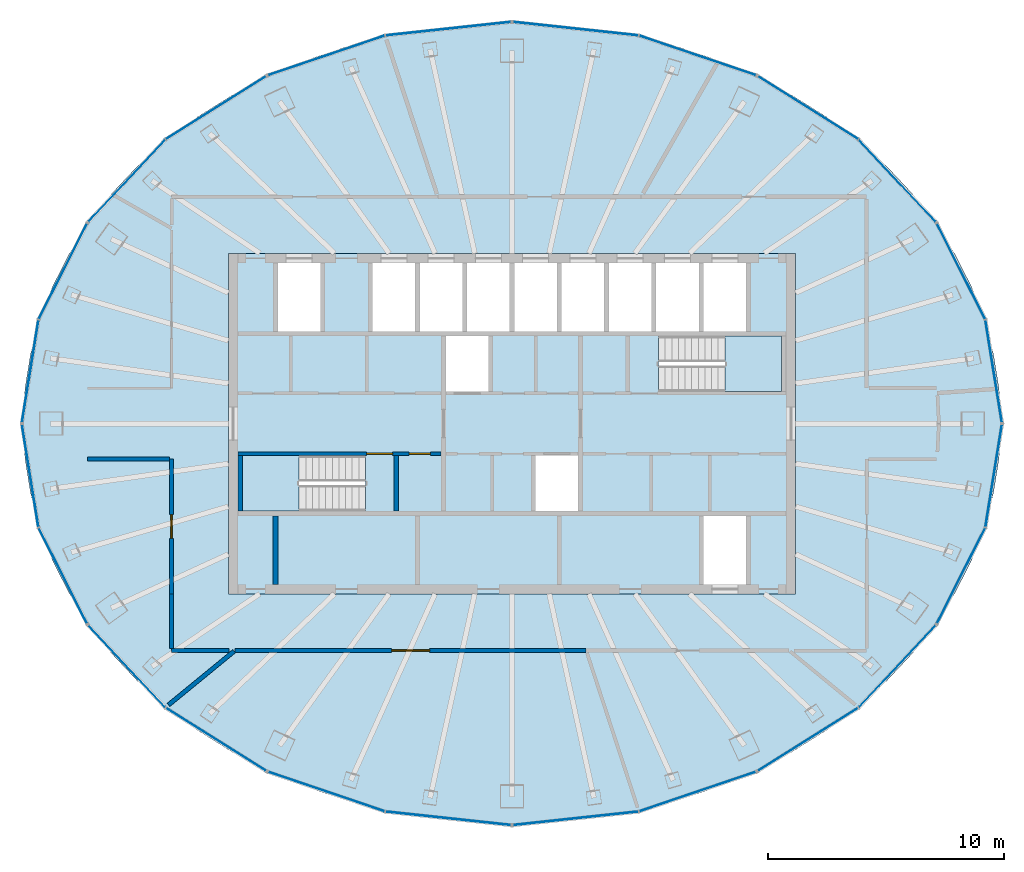
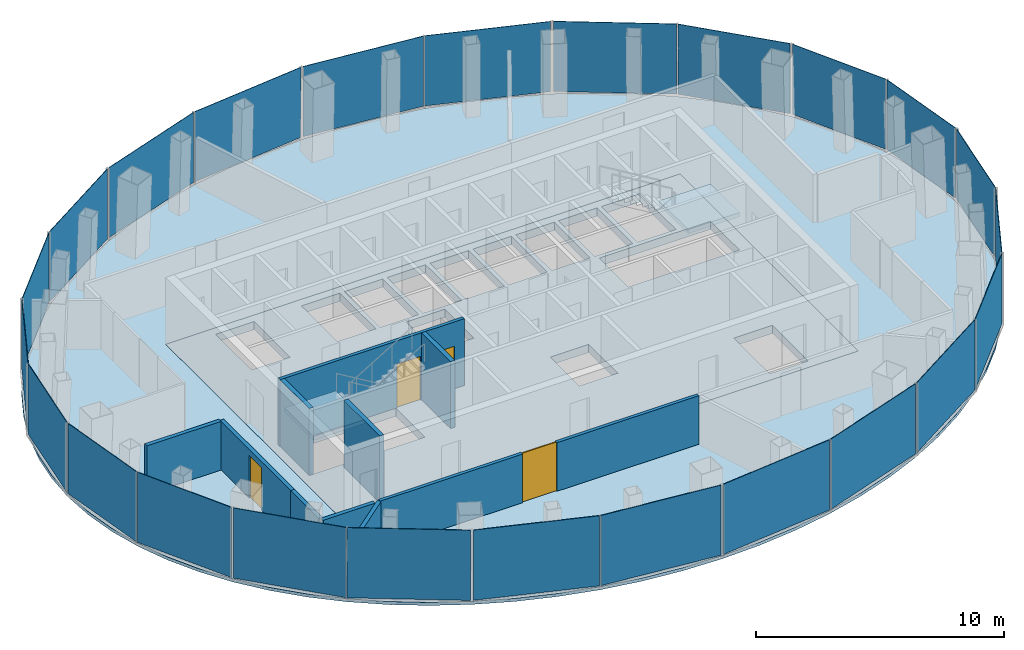
# One storey, part 7 of 11: 24 plates, 10 walls, 4 doors, 4 slabs, 4 openings, 14 elements without a shape of their own.
"""IFC4 building model written with IfcOpenShell, lengths in metres."""

from ifc_helpers import new_model, si_unit, direction, frame, frame_2d, origin, origin_2d, place, context, subcontext, project, spatial, polyline, rectangle, outline, extrude, material, layer, layer_set, type_object, element, fill, aggregate, save


model = new_model("IFC4")

# Units and contexts
model_context = context("Model", 3, precision=1e-05, world=origin(), true_north=direction((0.0, 1.0)))
body_context = subcontext(model_context, "Body", "Model", "MODEL_VIEW")
ifc_project = project(units=[si_unit("LENGTHUNIT", "METRE"), si_unit("AREAUNIT", "SQUARE_METRE"), si_unit("VOLUMEUNIT", "CUBIC_METRE"), si_unit("PLANEANGLEUNIT", "RADIAN"), si_unit("MASSUNIT", "GRAM", prefix="KILO")], contexts=[model_context])

# Site, building, storey
site_placement = place(None, origin())
site = spatial("IfcSite", under=ifc_project, at=site_placement, CompositionType="ELEMENT")
building_placement = place(site_placement, origin())
building = spatial("IfcBuilding", under=site, at=building_placement, Name="Siaravel Broadcast Tower", CompositionType="ELEMENT")
storey_placement = place(building_placement, frame((0.0, 0.0, 257.800048828125)))
storey = spatial("IfcBuildingStorey", under=building, at=storey_placement, Name="L63", CompositionType="ELEMENT", Elevation=257.800048828125)

# Curtain wall, plates
ifc_material_1 = material(Name="Aluminium 6063-T6", Category="aluminium")
ifc_layer_1 = layer(ifc_material_1, 0.159912109375)
ifc_layer_set_1 = layer_set([ifc_layer_1], Name="Aluminium 6063-T6")
curtain_wall_type = type_object("IfcCurtainWallType", Name="Unitised curtain wall, zone 4", PredefinedType="NOTDEFINED", material=ifc_layer_set_1)
curtain_wall_1_placement = place(storey_placement, origin())
curtain_wall_1 = element("IfcCurtainWall", 1, at=curtain_wall_1_placement, inside=storey, type_object=curtain_wall_type, Name="L63 Unitised curtain wall, zone 4 01", PredefinedType="NOTDEFINED")
ifc_material_2 = material(Name="Tinted insulated glass", Category="glass")
ifc_layer_2 = layer(ifc_material_2, 0.02587890625)
ifc_layer_set_2 = layer_set([ifc_layer_2], Name="Tinted insulated glass")
plate_type = type_object("IfcPlateType", Name="CW-Z4 glass panel", PredefinedType="CURTAIN_PANEL", material=ifc_layer_set_2)
plate_1_placement = place(storey_placement, frame((20.377685546875, 2.2138671875, 0.090087890625), z_axis=(0.0, 0.0, 1.0), x_axis=(-0.158684626, 0.987329322, 0.0)))
plate_1 = element("IfcPlate", 2, at=plate_1_placement, type_object=plate_type, Name="CW-Z4 glass panel", PredefinedType="CURTAIN_PANEL", context=body_context, shape_type="SweptSolid", body=[
    extrude(rectangle(XDim=4.37451171875, YDim=0.02587890625, at=origin_2d()), origin(), (0.0, 0.0, 1.0), 3.4599609375),
])
plate_2_placement = place(storey_placement, frame((18.99609375, 6.43798828125, 0.090087890625), z_axis=(0.0, 0.0, 1.0), x_axis=(-0.45125904, 0.892393007, 0.0)))
plate_2 = element("IfcPlate", 3, at=plate_2_placement, type_object=plate_type, Name="CW-Z4 glass panel", PredefinedType="CURTAIN_PANEL", context=body_context, shape_type="SweptSolid", body=[
    extrude(rectangle(XDim=4.51123046875, YDim=0.02587890625, at=origin_2d()), origin(), (0.0, 0.0, 1.0), 3.4599609375),
])
aggregate(curtain_wall_1, [plate_1, plate_2])

curtain_wall_2_placement = place(storey_placement, origin())
curtain_wall_2 = element("IfcCurtainWall", 4, at=curtain_wall_2_placement, inside=storey, type_object=curtain_wall_type, Name="L63 Unitised curtain wall, zone 4 02", PredefinedType="NOTDEFINED")
plate_3_placement = place(storey_placement, frame((16.2958984375, 10.269287109375, 0.090087890625), z_axis=(0.0, 0.0, 1.0), x_axis=(-0.683653541, 0.729806711, 0.0)))
plate_3 = element("IfcPlate", 5, at=plate_3_placement, type_object=plate_type, Name="CW-Z4 glass panel", PredefinedType="CURTAIN_PANEL", context=body_context, shape_type="SweptSolid", body=[
    extrude(rectangle(XDim=4.739013671875, YDim=0.02587890625, at=origin_2d()), origin(), (0.0, 0.0, 1.0), 3.4599609375),
])
plate_4_placement = place(storey_placement, frame((12.521728515625, 13.36083984375, 0.090087890625), z_axis=(0.0, 0.0, 1.0), x_axis=(-0.84664969, 0.532150638, 0.0)))
plate_4 = element("IfcPlate", 6, at=plate_4_placement, type_object=plate_type, Name="CW-Z4 glass panel", PredefinedType="CURTAIN_PANEL", context=body_context, shape_type="SweptSolid", body=[
    extrude(rectangle(XDim=4.9892578125, YDim=0.02587890625, at=origin_2d()), origin(), (0.0, 0.0, 1.0), 3.4599609375),
])
aggregate(curtain_wall_2, [plate_3, plate_4])

curtain_wall_3_placement = place(storey_placement, origin())
curtain_wall_3 = element("IfcCurtainWall", 7, at=curtain_wall_3_placement, inside=storey, type_object=curtain_wall_type, Name="L63 Unitised curtain wall, zone 4 03", PredefinedType="NOTDEFINED")
plate_5_placement = place(storey_placement, frame((7.8505859375, 15.570068359375, 0.090087890625), z_axis=(0.0, 0.0, 1.0), x_axis=(-0.946976923, 0.321301584, 0.0)))
plate_5 = element("IfcPlate", 8, at=plate_5_placement, type_object=plate_type, Name="CW-Z4 glass panel", PredefinedType="CURTAIN_PANEL", context=body_context, shape_type="SweptSolid", body=[
    extrude(rectangle(XDim=5.196533203125, YDim=0.02587890625, at=origin_2d()), origin(), (0.0, 0.0, 1.0), 3.4599609375),
])
plate_6_placement = place(storey_placement, frame((2.69580078125, 16.701416015625, 0.090087890625), z_axis=(0.0, 0.0, 1.0), x_axis=(-0.994235555, 0.107217823, 0.0)))
plate_6 = element("IfcPlate", 9, at=plate_6_placement, type_object=plate_type, Name="CW-Z4 glass panel", PredefinedType="CURTAIN_PANEL", context=body_context, shape_type="SweptSolid", body=[
    extrude(rectangle(XDim=5.3125, YDim=0.02587890625, at=origin_2d()), origin(), (0.0, 0.0, 1.0), 3.4599609375),
])
aggregate(curtain_wall_3, [plate_5, plate_6])

curtain_wall_4_placement = place(storey_placement, origin())
curtain_wall_4 = element("IfcCurtainWall", 10, at=curtain_wall_4_placement, inside=storey, type_object=curtain_wall_type, Name="L63 Unitised curtain wall, zone 4 04", PredefinedType="NOTDEFINED")
plate_7_placement = place(storey_placement, frame((-2.69580078125, 16.701416015625, 0.090087890625), z_axis=(0.0, 0.0, 1.0), x_axis=(-0.994235555, -0.107217823, 0.0)))
plate_7 = element("IfcPlate", 11, at=plate_7_placement, type_object=plate_type, Name="CW-Z4 glass panel", PredefinedType="CURTAIN_PANEL", context=body_context, shape_type="SweptSolid", body=[
    extrude(rectangle(XDim=5.3125, YDim=0.02587890625, at=origin_2d()), origin(), (0.0, 0.0, 1.0), 3.4599609375),
])
plate_8_placement = place(storey_placement, frame((-7.8505859375, 15.570068359375, 0.090087890625), z_axis=(0.0, 0.0, 1.0), x_axis=(-0.946976923, -0.321301584, 0.0)))
plate_8 = element("IfcPlate", 12, at=plate_8_placement, type_object=plate_type, Name="CW-Z4 glass panel", PredefinedType="CURTAIN_PANEL", context=body_context, shape_type="SweptSolid", body=[
    extrude(rectangle(XDim=5.196533203125, YDim=0.02587890625, at=origin_2d()), origin(), (0.0, 0.0, 1.0), 3.4599609375),
])
aggregate(curtain_wall_4, [plate_7, plate_8])

curtain_wall_5_placement = place(storey_placement, origin())
curtain_wall_5 = element("IfcCurtainWall", 13, at=curtain_wall_5_placement, inside=storey, type_object=curtain_wall_type, Name="L63 Unitised curtain wall, zone 4 05", PredefinedType="NOTDEFINED")
plate_9_placement = place(storey_placement, frame((-12.521728515625, 13.36083984375, 0.090087890625), z_axis=(0.0, 0.0, 1.0), x_axis=(-0.84664969, -0.532150638, 0.0)))
plate_9 = element("IfcPlate", 14, at=plate_9_placement, type_object=plate_type, Name="CW-Z4 glass panel", PredefinedType="CURTAIN_PANEL", context=body_context, shape_type="SweptSolid", body=[
    extrude(rectangle(XDim=4.9892578125, YDim=0.02587890625, at=origin_2d()), origin(), (0.0, 0.0, 1.0), 3.4599609375),
])
plate_10_placement = place(storey_placement, frame((-16.2958984375, 10.269287109375, 0.090087890625), z_axis=(0.0, 0.0, 1.0), x_axis=(-0.683653541, -0.729806711, 0.0)))
plate_10 = element("IfcPlate", 15, at=plate_10_placement, type_object=plate_type, Name="CW-Z4 glass panel", PredefinedType="CURTAIN_PANEL", context=body_context, shape_type="SweptSolid", body=[
    extrude(rectangle(XDim=4.739013671875, YDim=0.02587890625, at=origin_2d()), origin(), (0.0, 0.0, 1.0), 3.4599609375),
])
aggregate(curtain_wall_5, [plate_9, plate_10])

curtain_wall_6_placement = place(storey_placement, origin())
curtain_wall_6 = element("IfcCurtainWall", 16, at=curtain_wall_6_placement, inside=storey, type_object=curtain_wall_type, Name="L63 Unitised curtain wall, zone 4 06", PredefinedType="NOTDEFINED")
plate_11_placement = place(storey_placement, frame((-18.99609375, 6.43798828125, 0.090087890625), z_axis=(0.0, 0.0, 1.0), x_axis=(-0.45125904, -0.892393007, 0.0)))
plate_11 = element("IfcPlate", 17, at=plate_11_placement, type_object=plate_type, Name="CW-Z4 glass panel", PredefinedType="CURTAIN_PANEL", context=body_context, shape_type="SweptSolid", body=[
    extrude(rectangle(XDim=4.51123046875, YDim=0.02587890625, at=origin_2d()), origin(), (0.0, 0.0, 1.0), 3.4599609375),
])
plate_12_placement = place(storey_placement, frame((-20.377685546875, 2.2138671875, 0.090087890625), z_axis=(0.0, 0.0, 1.0), x_axis=(-0.158684626, -0.987329322, 0.0)))
plate_12 = element("IfcPlate", 18, at=plate_12_placement, type_object=plate_type, Name="CW-Z4 glass panel", PredefinedType="CURTAIN_PANEL", context=body_context, shape_type="SweptSolid", body=[
    extrude(rectangle(XDim=4.37451171875, YDim=0.02587890625, at=origin_2d()), origin(), (0.0, 0.0, 1.0), 3.4599609375),
])
aggregate(curtain_wall_6, [plate_11, plate_12])

curtain_wall_7_placement = place(storey_placement, origin())
curtain_wall_7 = element("IfcCurtainWall", 19, at=curtain_wall_7_placement, inside=storey, type_object=curtain_wall_type, Name="L63 Unitised curtain wall, zone 4 07", PredefinedType="NOTDEFINED")
plate_13_placement = place(storey_placement, frame((-20.377685546875, -2.2138671875, 0.090087890625), z_axis=(0.0, 0.0, 1.0), x_axis=(0.158684626, -0.987329322, 0.0)))
plate_13 = element("IfcPlate", 20, at=plate_13_placement, type_object=plate_type, Name="CW-Z4 glass panel", PredefinedType="CURTAIN_PANEL", context=body_context, shape_type="SweptSolid", body=[
    extrude(rectangle(XDim=4.37451171875, YDim=0.02587890625, at=origin_2d()), origin(), (0.0, 0.0, 1.0), 3.4599609375),
])
plate_14_placement = place(storey_placement, frame((-18.99609375, -6.43798828125, 0.090087890625), z_axis=(0.0, 0.0, 1.0), x_axis=(0.45125904, -0.892393007, 0.0)))
plate_14 = element("IfcPlate", 21, at=plate_14_placement, type_object=plate_type, Name="CW-Z4 glass panel", PredefinedType="CURTAIN_PANEL", context=body_context, shape_type="SweptSolid", body=[
    extrude(rectangle(XDim=4.51123046875, YDim=0.02587890625, at=origin_2d()), origin(), (0.0, 0.0, 1.0), 3.4599609375),
])
aggregate(curtain_wall_7, [plate_13, plate_14])

curtain_wall_8_placement = place(storey_placement, origin())
curtain_wall_8 = element("IfcCurtainWall", 22, at=curtain_wall_8_placement, inside=storey, type_object=curtain_wall_type, Name="L63 Unitised curtain wall, zone 4 08", PredefinedType="NOTDEFINED")
plate_15_placement = place(storey_placement, frame((-16.2958984375, -10.269287109375, 0.090087890625), z_axis=(0.0, 0.0, 1.0), x_axis=(0.683653541, -0.729806711, 0.0)))
plate_15 = element("IfcPlate", 23, at=plate_15_placement, type_object=plate_type, Name="CW-Z4 glass panel", PredefinedType="CURTAIN_PANEL", context=body_context, shape_type="SweptSolid", body=[
    extrude(rectangle(XDim=4.739013671875, YDim=0.02587890625, at=origin_2d()), origin(), (0.0, 0.0, 1.0), 3.4599609375),
])
plate_16_placement = place(storey_placement, frame((-12.521728515625, -13.36083984375, 0.090087890625), z_axis=(0.0, 0.0, 1.0), x_axis=(0.84664969, -0.532150638, 0.0)))
plate_16 = element("IfcPlate", 24, at=plate_16_placement, type_object=plate_type, Name="CW-Z4 glass panel", PredefinedType="CURTAIN_PANEL", context=body_context, shape_type="SweptSolid", body=[
    extrude(rectangle(XDim=4.9892578125, YDim=0.02587890625, at=origin_2d()), origin(), (0.0, 0.0, 1.0), 3.4599609375),
])
aggregate(curtain_wall_8, [plate_15, plate_16])

curtain_wall_9_placement = place(storey_placement, origin())
curtain_wall_9 = element("IfcCurtainWall", 25, at=curtain_wall_9_placement, inside=storey, type_object=curtain_wall_type, Name="L63 Unitised curtain wall, zone 4 09", PredefinedType="NOTDEFINED")
plate_17_placement = place(storey_placement, frame((-7.8505859375, -15.570068359375, 0.090087890625), z_axis=(0.0, 0.0, 1.0), x_axis=(0.946976923, -0.321301584, 0.0)))
plate_17 = element("IfcPlate", 26, at=plate_17_placement, type_object=plate_type, Name="CW-Z4 glass panel", PredefinedType="CURTAIN_PANEL", context=body_context, shape_type="SweptSolid", body=[
    extrude(rectangle(XDim=5.196533203125, YDim=0.02587890625, at=origin_2d()), origin(), (0.0, 0.0, 1.0), 3.4599609375),
])
plate_18_placement = place(storey_placement, frame((-2.69580078125, -16.701416015625, 0.090087890625), z_axis=(0.0, 0.0, 1.0), x_axis=(0.994235555, -0.107217823, 0.0)))
plate_18 = element("IfcPlate", 27, at=plate_18_placement, type_object=plate_type, Name="CW-Z4 glass panel", PredefinedType="CURTAIN_PANEL", context=body_context, shape_type="SweptSolid", body=[
    extrude(rectangle(XDim=5.3125, YDim=0.02587890625, at=origin_2d()), origin(), (0.0, 0.0, 1.0), 3.4599609375),
])
aggregate(curtain_wall_9, [plate_17, plate_18])

curtain_wall_10_placement = place(storey_placement, origin())
curtain_wall_10 = element("IfcCurtainWall", 28, at=curtain_wall_10_placement, inside=storey, type_object=curtain_wall_type, Name="L63 Unitised curtain wall, zone 4 10", PredefinedType="NOTDEFINED")
plate_19_placement = place(storey_placement, frame((2.69580078125, -16.701416015625, 0.090087890625), z_axis=(0.0, 0.0, 1.0), x_axis=(0.994235555, 0.107217823, 0.0)))
plate_19 = element("IfcPlate", 29, at=plate_19_placement, type_object=plate_type, Name="CW-Z4 glass panel", PredefinedType="CURTAIN_PANEL", context=body_context, shape_type="SweptSolid", body=[
    extrude(rectangle(XDim=5.3125, YDim=0.02587890625, at=origin_2d()), origin(), (0.0, 0.0, 1.0), 3.4599609375),
])
plate_20_placement = place(storey_placement, frame((7.8505859375, -15.570068359375, 0.090087890625), z_axis=(0.0, 0.0, 1.0), x_axis=(0.946976923, 0.321301584, 0.0)))
plate_20 = element("IfcPlate", 30, at=plate_20_placement, type_object=plate_type, Name="CW-Z4 glass panel", PredefinedType="CURTAIN_PANEL", context=body_context, shape_type="SweptSolid", body=[
    extrude(rectangle(XDim=5.196533203125, YDim=0.02587890625, at=origin_2d()), origin(), (0.0, 0.0, 1.0), 3.4599609375),
])
aggregate(curtain_wall_10, [plate_19, plate_20])

curtain_wall_11_placement = place(storey_placement, origin())
curtain_wall_11 = element("IfcCurtainWall", 31, at=curtain_wall_11_placement, inside=storey, type_object=curtain_wall_type, Name="L63 Unitised curtain wall, zone 4 11", PredefinedType="NOTDEFINED")
plate_21_placement = place(storey_placement, frame((12.521728515625, -13.36083984375, 0.090087890625), z_axis=(0.0, 0.0, 1.0), x_axis=(0.84664969, 0.532150638, 0.0)))
plate_21 = element("IfcPlate", 32, at=plate_21_placement, type_object=plate_type, Name="CW-Z4 glass panel", PredefinedType="CURTAIN_PANEL", context=body_context, shape_type="SweptSolid", body=[
    extrude(rectangle(XDim=4.9892578125, YDim=0.02587890625, at=origin_2d()), origin(), (0.0, 0.0, 1.0), 3.4599609375),
])
plate_22_placement = place(storey_placement, frame((16.2958984375, -10.269287109375, 0.090087890625), z_axis=(0.0, 0.0, 1.0), x_axis=(0.683653541, 0.729806711, 0.0)))
plate_22 = element("IfcPlate", 33, at=plate_22_placement, type_object=plate_type, Name="CW-Z4 glass panel", PredefinedType="CURTAIN_PANEL", context=body_context, shape_type="SweptSolid", body=[
    extrude(rectangle(XDim=4.739013671875, YDim=0.02587890625, at=origin_2d()), origin(), (0.0, 0.0, 1.0), 3.4599609375),
])
aggregate(curtain_wall_11, [plate_21, plate_22])

curtain_wall_12_placement = place(storey_placement, origin())
curtain_wall_12 = element("IfcCurtainWall", 34, at=curtain_wall_12_placement, inside=storey, type_object=curtain_wall_type, Name="L63 Unitised curtain wall, zone 4 12", PredefinedType="NOTDEFINED")
plate_23_placement = place(storey_placement, frame((18.99609375, -6.43798828125, 0.090087890625), z_axis=(0.0, 0.0, 1.0), x_axis=(0.45125904, 0.892393007, 0.0)))
plate_23 = element("IfcPlate", 35, at=plate_23_placement, type_object=plate_type, Name="CW-Z4 glass panel", PredefinedType="CURTAIN_PANEL", context=body_context, shape_type="SweptSolid", body=[
    extrude(rectangle(XDim=4.51123046875, YDim=0.02587890625, at=origin_2d()), origin(), (0.0, 0.0, 1.0), 3.4599609375),
])
plate_24_placement = place(storey_placement, frame((20.377685546875, -2.2138671875, 0.090087890625), z_axis=(0.0, 0.0, 1.0), x_axis=(0.158684626, 0.987329322, 0.0)))
plate_24 = element("IfcPlate", 36, at=plate_24_placement, type_object=plate_type, Name="CW-Z4 glass panel", PredefinedType="CURTAIN_PANEL", context=body_context, shape_type="SweptSolid", body=[
    extrude(rectangle(XDim=4.37451171875, YDim=0.02587890625, at=origin_2d()), origin(), (0.0, 0.0, 1.0), 3.4599609375),
])
aggregate(curtain_wall_12, [plate_23, plate_24])

# Slabs
ifc_material_3 = material(Name="Concrete C40/50", Category="concrete")
ifc_layer_3 = layer(ifc_material_3, 0.39990234375)
ifc_layer_set_3 = layer_set([ifc_layer_3], Name="Concrete C40/50")
slab_type_1 = type_object("IfcSlabType", Name="Core floor slab 400", PredefinedType="FLOOR", material=ifc_layer_set_3)
slab_1_placement = place(storey_placement, frame((0.0, 0.0, -0.400146484375)))
element("IfcSlab", 37, at=slab_1_placement, inside=storey, type_object=slab_type_1, Name="L63 core floor", PredefinedType="FLOOR", context=body_context, shape_type="SweptSolid", body=[
    extrude(outline(polyline([(-12.0, -7.199951171875), (-12.0, 7.199951171875), (12.0, 7.199951171875), (12.0, -7.199951171875), (-12.0, -7.199951171875)]), holes=[polyline([(11.3994140625, 1.3505859375), (11.3994140625, 3.699462890625), (6.200439453125, 3.699462890625), (6.200439453125, 1.3505859375), (11.3994140625, 1.3505859375)]), polyline([(8.10009765625, -3.89990234375), (8.10009765625, -6.800048828125), (9.89990234375, -6.800048828125), (9.89990234375, -3.89990234375), (8.10009765625, -3.89990234375)]), polyline([(9.89990234375, 6.800048828125), (8.10009765625, 6.800048828125), (8.10009765625, 3.89990234375), (9.89990234375, 3.89990234375), (9.89990234375, 6.800048828125)]), polyline([(7.89990234375, 6.800048828125), (6.10009765625, 6.800048828125), (6.10009765625, 3.89990234375), (7.89990234375, 3.89990234375), (7.89990234375, 6.800048828125)]), polyline([(5.89990234375, 6.800048828125), (4.10009765625, 6.800048828125), (4.10009765625, 3.89990234375), (5.89990234375, 3.89990234375), (5.89990234375, 6.800048828125)]), polyline([(3.89990234375, 6.800048828125), (2.10009765625, 6.800048828125), (2.10009765625, 3.89990234375), (3.89990234375, 3.89990234375), (3.89990234375, 6.800048828125)]), polyline([(2.800048828125, -1.35009765625), (1.0, -1.35009765625), (1.0, -3.699951171875), (2.800048828125, -3.699951171875), (2.800048828125, -1.35009765625)]), polyline([(1.89990234375, 6.800048828125), (0.10009765625, 6.800048828125), (0.10009765625, 3.89990234375), (1.89990234375, 3.89990234375), (1.89990234375, 6.800048828125)]), polyline([(-0.10009765625, 6.800048828125), (-1.89990234375, 6.800048828125), (-1.89990234375, 3.89990234375), (-0.10009765625, 3.89990234375), (-0.10009765625, 6.800048828125)]), polyline([(-1.0, 3.699951171875), (-2.800048828125, 3.699951171875), (-2.800048828125, 1.35009765625), (-1.0, 1.35009765625), (-1.0, 3.699951171875)]), polyline([(-2.10009765625, 6.800048828125), (-3.89990234375, 6.800048828125), (-3.89990234375, 3.89990234375), (-2.10009765625, 3.89990234375), (-2.10009765625, 6.800048828125)]), polyline([(-4.10009765625, 6.800048828125), (-5.89990234375, 6.800048828125), (-5.89990234375, 3.89990234375), (-4.10009765625, 3.89990234375), (-4.10009765625, 6.800048828125)]), polyline([(-11.3994140625, -3.699462890625), (-6.200439453125, -3.699462890625), (-6.200439453125, -1.3505859375), (-11.3994140625, -1.3505859375), (-11.3994140625, -3.699462890625)]), polyline([(-8.10009765625, 6.800048828125), (-9.89990234375, 6.800048828125), (-9.89990234375, 3.89990234375), (-8.10009765625, 3.89990234375), (-8.10009765625, 6.800048828125)])]), origin(), (0.0, 0.0, 1.0), 0.400146484375),
])
ifc_layer_4 = layer(ifc_material_3, 0.14990234375)
ifc_layer_set_4 = layer_set([ifc_layer_4], Name="Concrete C40/50")
slab_type_2 = type_object("IfcSlabType", Name="SLB-FLOOR-150", PredefinedType="FLOOR", material=ifc_layer_set_4)
slab_2_placement = place(storey_placement, frame((0.0, 0.0, -0.150146484375)))
element("IfcSlab", 38, at=slab_2_placement, inside=storey, type_object=slab_type_2, Name="Floor slab", PredefinedType="FLOOR", context=body_context, shape_type="SweptSolid", body=[
    extrude(outline(polyline([(20.68359375, 0.0), (20.60498046875, 1.4765625), (20.369384765625, 2.94189453125), (19.978759765625, 4.385009765625), (19.436279296875, 5.794677734375), (18.74560546875, 7.16015625), (17.91259765625, 8.47119140625), (16.943115234375, 9.717529296875), (15.844482421875, 10.89013671875), (14.62548828125, 11.97998046875), (13.295166015625, 12.978515625), (11.863525390625, 13.878173828125), (10.341796875, 14.67236328125), (8.7412109375, 15.354736328125), (7.07421875, 15.92041015625), (5.353271484375, 16.364990234375), (3.591796875, 16.684814453125), (1.802734375, 16.877685546875), (0.0, 16.942138671875), (-1.802734375, 16.877685546875), (-3.591796875, 16.684814453125), (-5.353271484375, 16.364990234375), (-7.07421875, 15.92041015625), (-8.7412109375, 15.354736328125), (-10.341796875, 14.67236328125), (-11.863525390625, 13.878173828125), (-13.295166015625, 12.978515625), (-14.62548828125, 11.97998046875), (-15.844482421875, 10.89013671875), (-16.943115234375, 9.717529296875), (-17.91259765625, 8.47119140625), (-18.74560546875, 7.16015625), (-19.436279296875, 5.794677734375), (-19.978759765625, 4.385009765625), (-20.369384765625, 2.94189453125), (-20.60498046875, 1.4765625), (-20.68359375, 0.0), (-20.60498046875, -1.4765625), (-20.369384765625, -2.94189453125), (-19.978759765625, -4.385009765625), (-19.436279296875, -5.794677734375), (-18.74560546875, -7.16015625), (-17.91259765625, -8.47119140625), (-16.943115234375, -9.717529296875), (-15.844482421875, -10.89013671875), (-14.62548828125, -11.97998046875), (-13.295166015625, -12.978515625), (-11.863525390625, -13.878173828125), (-10.341796875, -14.67236328125), (-8.7412109375, -15.354736328125), (-7.07421875, -15.92041015625), (-5.353271484375, -16.364990234375), (-3.591796875, -16.684814453125), (-1.802734375, -16.877685546875), (0.0, -16.942138671875), (1.802734375, -16.877685546875), (3.591796875, -16.684814453125), (5.353271484375, -16.364990234375), (7.07421875, -15.92041015625), (8.7412109375, -15.354736328125), (10.341796875, -14.67236328125), (11.863525390625, -13.878173828125), (13.295166015625, -12.978515625), (14.62548828125, -11.97998046875), (15.844482421875, -10.89013671875), (16.943115234375, -9.717529296875), (17.91259765625, -8.47119140625), (18.74560546875, -7.16015625), (19.436279296875, -5.794677734375), (19.978759765625, -4.385009765625), (20.369384765625, -2.94189453125), (20.60498046875, -1.4765625), (20.68359375, 0.0)]), holes=[polyline([(-12.0, 7.199951171875), (12.0, 7.199951171875), (12.0, -7.199951171875), (-12.0, -7.199951171875), (-12.0, 7.199951171875)])]), origin(), (0.0, 0.0, 1.0), 0.150146484375),
])

# Stair, slab
stair_type = type_object("IfcStairType", Name="Core exit stair", PredefinedType="HALF_TURN_STAIR", material=ifc_material_3)
stair_1_placement = place(storey_placement, origin())
stair_1 = element("IfcStair", 39, at=stair_1_placement, inside=storey, type_object=stair_type, Name="L63 Exit stair ST-1", PredefinedType="HALF_TURN_STAIR")
ifc_layer_5 = layer(ifc_material_3, 0.199951171875)
ifc_layer_set_5 = layer_set([ifc_layer_5], Name="Concrete C40/50")
slab_type_3 = type_object("IfcSlabType", Name="Stair landing", PredefinedType="LANDING", material=ifc_layer_set_5)
slab_3_placement = place(storey_placement, frame((0.0, 0.0, 1.64990234375)))
slab_3 = element("IfcSlab", 40, at=slab_3_placement, type_object=slab_type_3, Name="ST-1 landing 1", PredefinedType="LANDING", context=body_context, shape_type="SweptSolid", body=[
    extrude(outline(polyline([(-9.0, -1.35009765625), (-11.39990234375, -1.35009765625), (-11.39990234375, -3.699951171875), (-9.0, -3.699951171875), (-9.0, -1.35009765625)])), origin(), (0.0, 0.0, 1.0), 0.199951171875),
])
aggregate(stair_1, [slab_3])

stair_2_placement = place(storey_placement, origin())
stair_2 = element("IfcStair", 41, at=stair_2_placement, inside=storey, type_object=stair_type, Name="L63 Exit stair ST-2", PredefinedType="HALF_TURN_STAIR")
slab_4_placement = place(storey_placement, frame((0.0, 0.0, 1.64990234375)))
slab_4 = element("IfcSlab", 42, at=slab_4_placement, type_object=slab_type_3, Name="ST-2 landing 1", PredefinedType="LANDING", context=body_context, shape_type="SweptSolid", body=[
    extrude(outline(polyline([(9.0, 1.35009765625), (11.39990234375, 1.35009765625), (11.39990234375, 3.699951171875), (9.0, 3.699951171875), (9.0, 1.35009765625)])), origin(), (0.0, 0.0, 1.0), 0.199951171875),
])
aggregate(stair_2, [slab_4])

# Wall, opening, door
ifc_material_4 = material(Name="Gypsum board partition", Category="gypsum")
ifc_layer_6 = layer(ifc_material_4, 0.14990234375)
ifc_layer_set_6 = layer_set([ifc_layer_6], Name="Gypsum board partition")
wall_type_1 = type_object("IfcWallType", Name="Corridor wall 150", PredefinedType="PARTITIONING", material=ifc_layer_set_6)
wall_1_placement = place(storey_placement, frame((-11.719970703125, -9.60009765625, 0.0), z_axis=(0.0, 0.0, 1.0), x_axis=(1.0, 0.0, 0.0)))
wall_1 = element("IfcWall", 43, at=wall_1_placement, inside=storey, type_object=wall_type_1, Name="L63 partition 1", PredefinedType="PARTITIONING", context=body_context, shape_type="SweptSolid", body=[
    extrude(rectangle(XDim=14.8603515625, YDim=0.14990234375, at=frame_2d((7.43017578125, 0.0))), origin(), (0.0, 0.0, 1.0), 2.39990234375),
])
opening_1_placement = place(wall_1_placement, frame((6.630126953125, 0.0, 0.0)))
opening_1 = element("IfcOpeningElement", 44, at=opening_1_placement, cuts=wall_1, Name="Opening L63-002", PredefinedType="OPENING", context=body_context, shape_type="SweptSolid", body=[
    extrude(rectangle(XDim=1.60009765625, YDim=2.39990234375, at=frame_2d((0.800048828125, 1.199951171875))), frame((0.0, 0.0849609375, 0.0), z_axis=(0.0, -1.0, 0.0), x_axis=(1.0, 0.0, 0.0)), (0.0, 0.0, 1.0), 0.169921875),
])
ifc_material_5 = material(Name="Timber veneer", Category="wood")
door_type_1 = type_object("IfcDoorType", Name="Restaurant double door 1600", OperationType="DOUBLE_DOOR_SINGLE_SWING", PredefinedType="DOOR", material=ifc_material_5)
door_1_placement = place(opening_1_placement, origin())
door_1 = element("IfcDoor", 45, at=door_1_placement, inside=storey, type_object=door_type_1, Name="L63 door to Restaurant", OperationType="DOUBLE_DOOR_SINGLE_SWING", OverallHeight=2.39990234375, OverallWidth=1.60009765625, PredefinedType="DOOR", context=body_context, shape_type="SweptSolid", body=[
    extrude(rectangle(XDim=1.60009765625, YDim=2.39990234375, at=frame_2d((0.800048828125, 1.199951171875))), frame((0.0, 0.02490234375, 0.0), z_axis=(0.0, -1.0, 0.0), x_axis=(1.0, 0.0, 0.0)), (0.0, 0.0, 1.0), 0.050048828125),
])
fill(opening_1, door_1)

ifc_material_6 = material(Name="Concrete blockwork", Category="masonry")
ifc_layer_7 = layer(ifc_material_6, 0.179931640625)
ifc_layer_set_7 = layer_set([ifc_layer_7], Name="Concrete blockwork")
wall_type_2 = type_object("IfcWallType", Name="Service room fire partition 180", PredefinedType="PARTITIONING", material=ifc_layer_set_7)
wall_2_placement = place(storey_placement, frame((-14.39990234375, -1.5, 0.0), z_axis=(0.0, 0.0, 1.0), x_axis=(0.0, -1.0, 0.0)))
wall_2 = element("IfcWall", 46, at=wall_2_placement, inside=storey, type_object=wall_type_2, Name="L63 partition 9", PredefinedType="PARTITIONING", context=body_context, shape_type="SweptSolid", body=[
    extrude(rectangle(XDim=5.7119140625, YDim=0.179931640625, at=frame_2d((2.85595703125, 0.0))), origin(), (0.0, 0.0, 1.0), 2.39990234375),
])
opening_2_placement = place(wall_2_placement, frame((2.35595703125, 0.0, 0.0)))
opening_2 = element("IfcOpeningElement", 47, at=opening_2_placement, cuts=wall_2, Name="Opening L63-001", PredefinedType="OPENING", context=body_context, shape_type="SweptSolid", body=[
    extrude(rectangle(XDim=1.0, YDim=2.10009765625, at=frame_2d((0.5, 1.050048828125))), frame((0.0, 0.099853515625, 0.0), z_axis=(0.0, -1.0, 0.0), x_axis=(1.0, 0.0, 0.0)), (0.0, 0.0, 1.0), 0.199951171875),
])
ifc_material_7 = material(Name="Steel", Category="steel")
door_type_2 = type_object("IfcDoorType", Name="Service room door 1000", OperationType="SINGLE_SWING_LEFT", PredefinedType="DOOR", material=ifc_material_7)
door_2_placement = place(opening_2_placement, origin())
door_2 = element("IfcDoor", 48, at=door_2_placement, inside=storey, type_object=door_type_2, Name="L63 door to Library", OperationType="SINGLE_SWING_LEFT", OverallHeight=2.10009765625, OverallWidth=1.0, PredefinedType="DOOR", context=body_context, shape_type="SweptSolid", body=[
    extrude(rectangle(XDim=1.0, YDim=2.10009765625, at=frame_2d((0.5, 1.050048828125))), frame((0.0, 0.02490234375, 0.0), z_axis=(0.0, -1.0, 0.0), x_axis=(1.0, 0.0, 0.0)), (0.0, 0.0, 1.0), 0.050048828125),
])
fill(opening_2, door_2)

# Walls
wall_3_placement = place(storey_placement, frame((-14.530029296875, -11.901611328125, 0.0), z_axis=(0.0, 0.0, 1.0), x_axis=(0.773617152, 0.633653298, 0.0)))
element("IfcWall", 49, at=wall_3_placement, inside=storey, type_object=wall_type_2, Name="L63 partition 13", PredefinedType="PARTITIONING", context=body_context, shape_type="SweptSolid", body=[
    extrude(rectangle(XDim=3.582763671875, YDim=0.179931640625, at=frame_2d((1.79150390625, 0.0))), origin(), (0.0, 0.0, 1.0), 2.39990234375),
])
wall_4_placement = place(storey_placement, frame((-17.94775390625, -1.5, 0.0), z_axis=(0.0, 0.0, 1.0), x_axis=(1.0, 0.0, 0.0)))
element("IfcWall", 50, at=wall_4_placement, inside=storey, type_object=wall_type_2, Name="L63 partition 15", PredefinedType="PARTITIONING", context=body_context, shape_type="SweptSolid", body=[
    extrude(rectangle(XDim=3.455810546875, YDim=0.179931640625, at=frame_2d((1.72802734375, 0.0))), origin(), (0.0, 0.0, 1.0), 2.39990234375),
])
wall_5_placement = place(storey_placement, frame((-14.39990234375, -9.60009765625, 0.0), z_axis=(0.0, 0.0, 1.0), x_axis=(1.0, 0.0, 0.0)))
element("IfcWall", 51, at=wall_5_placement, inside=storey, type_object=wall_type_2, Name="L63 partition 21", PredefinedType="PARTITIONING", context=body_context, shape_type="SweptSolid", body=[
    extrude(rectangle(XDim=2.426025390625, YDim=0.179931640625, at=frame_2d((1.212890625, 0.0))), origin(), (0.0, 0.0, 1.0), 2.39990234375),
])
wall_6_placement = place(storey_placement, frame((-14.39990234375, -7.212890625, 0.0), z_axis=(0.0, 0.0, 1.0), x_axis=(0.0, -1.0, 0.0)))
element("IfcWall", 52, at=wall_6_placement, inside=storey, type_object=wall_type_2, Name="L63 partition 24", PredefinedType="PARTITIONING", context=body_context, shape_type="SweptSolid", body=[
    extrude(rectangle(XDim=2.295166015625, YDim=0.179931640625, at=frame_2d((1.1474609375, 0.0))), origin(), (0.0, 0.0, 1.0), 2.39990234375),
])

# Wall, openings, doors
ifc_material_8 = material(Name="Concrete C60/75", Category="concrete")
ifc_layer_8 = layer(ifc_material_8, 0.14990234375)
ifc_layer_set_8 = layer_set([ifc_layer_8], Name="Concrete C60/75")
wall_type_3 = type_object("IfcWallType", Name="Shaft wall 150", PredefinedType="SHEAR", material=ifc_layer_set_8)
wall_7_placement = place(storey_placement, frame((-11.60009765625, -1.27490234375, 0.0), z_axis=(0.0, 0.0, 1.0), x_axis=(1.0, 0.0, 0.0)))
wall_7 = element("IfcWall", 53, at=wall_7_placement, inside=storey, type_object=wall_type_3, Name="L63 core wall CSW", PredefinedType="SHEAR", context=body_context, shape_type="SweptSolid", body=[
    extrude(rectangle(XDim=8.60009765625, YDim=0.14990234375, at=frame_2d((4.300048828125, 0.0))), origin(), (0.0, 0.0, 1.0), 3.300048828125),
])
opening_3_placement = place(wall_7_placement, frame((5.449951171875, 0.0, 0.0)))
opening_3 = element("IfcOpeningElement", 54, at=opening_3_placement, cuts=wall_7, Name="Opening L63-DS-1", PredefinedType="OPENING", context=body_context, shape_type="SweptSolid", body=[
    extrude(rectangle(XDim=1.10009765625, YDim=2.14990234375, at=frame_2d((0.550048828125, 1.074951171875))), frame((0.0, 0.0849609375, 0.0), z_axis=(0.0, -1.0, 0.0), x_axis=(1.0, 0.0, 0.0)), (0.0, 0.0, 1.0), 0.169921875),
])
opening_4_placement = place(wall_7_placement, frame((7.25, 0.0, 0.0)))
opening_4 = element("IfcOpeningElement", 55, at=opening_4_placement, cuts=wall_7, Name="Opening L63-DSW0", PredefinedType="OPENING", context=body_context, shape_type="SweptSolid", body=[
    extrude(rectangle(XDim=0.89990234375, YDim=2.10009765625, at=frame_2d((0.449951171875, 1.050048828125))), frame((0.0, 0.0849609375, 0.0), z_axis=(0.0, -1.0, 0.0), x_axis=(1.0, 0.0, 0.0)), (0.0, 0.0, 1.0), 0.169921875),
])
door_type_3 = type_object("IfcDoorType", Name="Core room door 900", OperationType="SINGLE_SWING_LEFT", PredefinedType="DOOR", material=ifc_material_5)
door_3_placement = place(opening_4_placement, origin())
door_3 = element("IfcDoor", 56, at=door_3_placement, inside=storey, type_object=door_type_3, Name="L63 door DSW0", OperationType="SINGLE_SWING_LEFT", OverallHeight=2.10009765625, OverallWidth=0.89990234375, PredefinedType="DOOR", context=body_context, shape_type="SweptSolid", body=[
    extrude(rectangle(XDim=0.89990234375, YDim=2.10009765625, at=frame_2d((0.449951171875, 1.050048828125))), frame((0.0, 0.02490234375, 0.0), z_axis=(0.0, -1.0, 0.0), x_axis=(1.0, 0.0, 0.0)), (0.0, 0.0, 1.0), 0.050048828125),
])
fill(opening_4, door_3)
door_type_4 = type_object("IfcDoorType", Name="Stair door 1100", OperationType="SINGLE_SWING_LEFT", PredefinedType="DOOR", material=ifc_material_7)
door_4_placement = place(opening_3_placement, origin())
door_4 = element("IfcDoor", 57, at=door_4_placement, inside=storey, type_object=door_type_4, Name="L63 door DS-1", OperationType="SINGLE_SWING_LEFT", OverallHeight=2.14990234375, OverallWidth=1.10009765625, PredefinedType="DOOR", context=body_context, shape_type="SweptSolid", body=[
    extrude(rectangle(XDim=1.10009765625, YDim=2.14990234375, at=frame_2d((0.550048828125, 1.074951171875))), frame((0.0, 0.02490234375, 0.0), z_axis=(0.0, -1.0, 0.0), x_axis=(1.0, 0.0, 0.0)), (0.0, 0.0, 1.0), 0.050048828125),
])
fill(opening_3, door_4)

# Walls
ifc_layer_9 = layer(ifc_material_8, 0.199951171875)
ifc_layer_set_9 = layer_set([ifc_layer_9], Name="Concrete C60/75")
wall_type_4 = type_object("IfcWallType", Name="Shaft wall 200", PredefinedType="SHEAR", material=ifc_layer_set_9)
wall_8_placement = place(storey_placement, frame((-10.0, -6.800048828125, 0.0), z_axis=(0.0, 0.0, 1.0), x_axis=(0.0, 1.0, 0.0)))
element("IfcWall", 58, at=wall_8_placement, inside=storey, type_object=wall_type_4, Name="L63 core wall SWS0", PredefinedType="SHEAR", context=body_context, shape_type="SweptSolid", body=[
    extrude(rectangle(XDim=2.900146484375, YDim=0.199951171875, at=frame_2d((1.4501953125, 0.0))), origin(), (0.0, 0.0, 1.0), 3.300048828125),
])
for number, where, z_axis, x_axis, name in (
    (59, (-11.5, -3.699951171875, 0.0), (0.0, 0.0, 1.0), (0.0, 1.0, 0.0), "L63 core wall ST1W"),
    (60, (-4.89990234375, -3.699951171875, 0.0), (0.0, 0.0, 1.0), (0.0, 1.0, 0.0), "L63 core wall ST1E"),
):
    element("IfcWall", number, at=place(storey_placement, frame(where, z_axis=z_axis, x_axis=x_axis)), inside=storey, type_object=wall_type_4, Name=name, PredefinedType="SHEAR", context=body_context, shape_type="SweptSolid", body=[
        extrude(rectangle(XDim=2.349853515625, YDim=0.199951171875, at=frame_2d((1.1748046875, 0.0))), origin(), (0.0, 0.0, 1.0), 3.300048828125),
    ])

save(model, "model.ifc")
